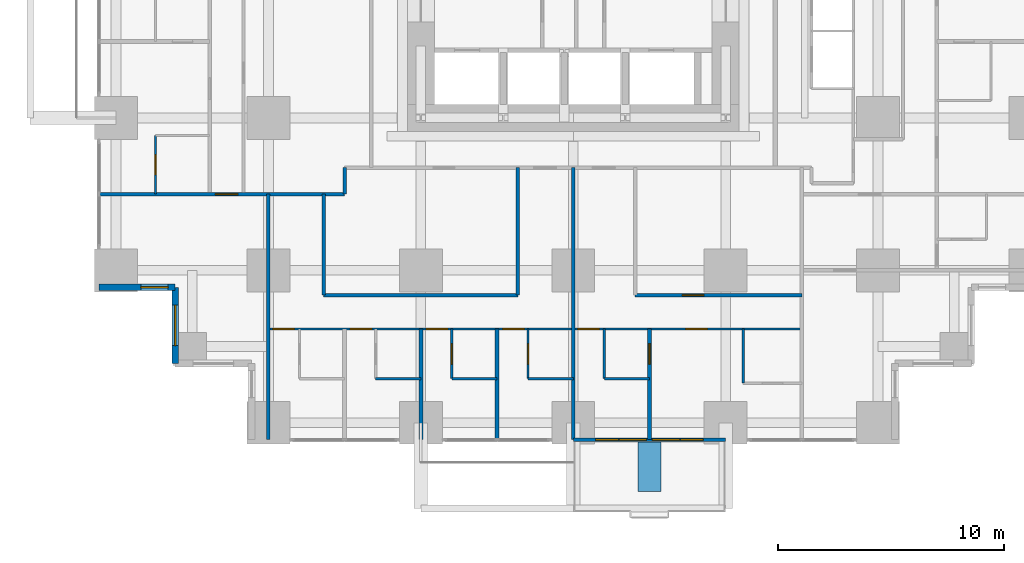
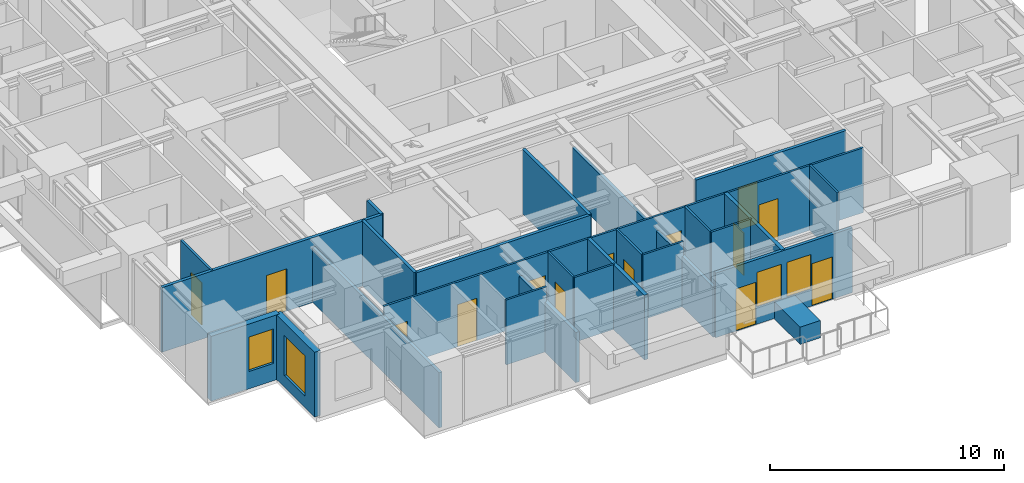
# One storey, part 8 of 14: 25 walls, 14 doors, 4 windows, 18 openings.
"""IFC4 building model written with IfcOpenShell, lengths in metres."""

from ifc_helpers import new_model, si_unit, direction, frame, frame_2d, origin, place, context, subcontext, project, spatial, rectangle, extrude, material, layer, layer_set, type_object, element, fill, save


model = new_model("IFC4")

# Units and contexts
model_context = context("Model", 3, precision=1e-05, world=origin(), true_north=direction((0.0, 1.0)))
body_context = subcontext(model_context, "Body", "Model", "MODEL_VIEW")
ifc_project = project(units=[si_unit("LENGTHUNIT", "METRE"), si_unit("AREAUNIT", "SQUARE_METRE"), si_unit("VOLUMEUNIT", "CUBIC_METRE"), si_unit("PLANEANGLEUNIT", "RADIAN"), si_unit("MASSUNIT", "GRAM", prefix="KILO")], contexts=[model_context])

# Site, building, storey
site_placement = place(None, origin())
site = spatial("IfcSite", under=ifc_project, at=site_placement, CompositionType="ELEMENT")
building_placement = place(site_placement, origin())
building = spatial("IfcBuilding", under=site, at=building_placement, Name="Nyansa Garden Tower", CompositionType="ELEMENT")
storey_placement = place(building_placement, frame((0.0, 0.0, 43.199951171875)))
storey = spatial("IfcBuildingStorey", under=building, at=storey_placement, Name="L11", CompositionType="ELEMENT", Elevation=43.199951171875)

# Walls
ifc_material_1 = material(Name="Dense blockwork, plastered both sides, 55 dB", Category="masonry")
ifc_layer_1 = layer(ifc_material_1, 0.175048828125)
ifc_layer_set_1 = layer_set([ifc_layer_1], Name="Acoustic party wall PW175")
wall_type_1 = type_object("IfcWallType", Name="Acoustic party wall PW175", PredefinedType="PARTITIONING", material=ifc_layer_set_1)
wall_1_placement = place(storey_placement, frame((13.5, -0.73388671875, 0.0), z_axis=(0.0, 0.0, 1.0), x_axis=(0.0, 1.0, 0.0)))
element("IfcWall", 1, at=wall_1_placement, inside=storey, type_object=wall_type_1, Name="Party wall", PredefinedType="PARTITIONING", context=body_context, shape_type="SweptSolid", body=[
    extrude(rectangle(XDim=4.8837890625, YDim=0.175048828125, at=frame_2d((2.44189453125, 0.0))), origin(), (0.0, 0.0, 1.0), 2.610107421875),
])
wall_2_placement = place(storey_placement, frame((16.875, -0.73388671875, 0.0), z_axis=(0.0, 0.0, 1.0), x_axis=(0.0, 1.0, 0.0)))
element("IfcWall", 2, at=wall_2_placement, inside=storey, type_object=wall_type_1, Name="Party wall", PredefinedType="PARTITIONING", context=body_context, shape_type="SweptSolid", body=[
    extrude(rectangle(XDim=4.8837890625, YDim=0.175048828125, at=frame_2d((2.44189453125, 0.0))), origin(), (0.0, 0.0, 1.0), 3.375),
])

# Wall, opening, door
wall_3_placement = place(storey_placement, frame((23.625, -0.73388671875, 0.0), z_axis=(0.0, 0.0, 1.0), x_axis=(0.0, 1.0, 0.0)))
wall_3 = element("IfcWall", 3, at=wall_3_placement, inside=storey, type_object=wall_type_1, Name="Party wall", PredefinedType="PARTITIONING", context=body_context, shape_type="SweptSolid", body=[
    extrude(rectangle(XDim=4.8837890625, YDim=0.175048828125, at=frame_2d((2.44189453125, 0.0))), origin(), (0.0, 0.0, 1.0), 3.375),
])
opening_1_placement = place(wall_3_placement, frame((3.333984375, 0.0, 0.0)))
opening_1 = element("IfcOpeningElement", 4, at=opening_1_placement, cuts=wall_3, Name="Opening D02", PredefinedType="OPENING", context=body_context, shape_type="SweptSolid", body=[
    extrude(rectangle(XDim=0.89990234375, YDim=2.199951171875, at=frame_2d((0.449951171875, 1.10009765625))), frame((0.0, 0.097412109375, 0.0), z_axis=(0.0, -1.0, 0.0), x_axis=(1.0, 0.0, 0.0)), (0.0, 0.0, 1.0), 0.195068359375),
])
ifc_material_2 = material(Name="Timber flush door", Category="wood")
door_type_1 = type_object("IfcDoorType", Name="En-suite door D02 900x2200", OperationType="SINGLE_SWING_RIGHT", PredefinedType="DOOR", material=ifc_material_2)
door_1_placement = place(opening_1_placement, origin())
door_1 = element("IfcDoor", 5, at=door_1_placement, inside=storey, type_object=door_type_1, Name="Door L11-032", OperationType="SINGLE_SWING_RIGHT", OverallHeight=2.199951171875, OverallWidth=0.89990234375, PredefinedType="DOOR", context=body_context, shape_type="SweptSolid", body=[
    extrude(rectangle(XDim=0.89990234375, YDim=2.199951171875, at=frame_2d((0.449951171875, 1.10009765625))), frame((0.0, 0.02490234375, 0.0), z_axis=(0.0, -1.0, 0.0), x_axis=(1.0, 0.0, 0.0)), (0.0, 0.0, 1.0), 0.050048828125),
])
fill(opening_1, door_1)

# Wall, openings, doors, windows
ifc_material_3 = material(Name="Black aluminium framed glazed screen", Category="aluminium")
ifc_layer_2 = layer(ifc_material_3, 0.14990234375)
ifc_layer_set_2 = layer_set([ifc_layer_2], Name="Balcony screen wall BW150")
wall_type_2 = type_object("IfcWallType", Name="Balcony screen wall BW150", PredefinedType="SOLIDWALL", material=ifc_layer_set_2)
wall_4_placement = place(storey_placement, frame((27.0, -0.75, 0.0), z_axis=(0.0, 0.0, 1.0), x_axis=(-1.0, 0.0, 0.0)))
wall_4 = element("IfcWall", 6, at=wall_4_placement, inside=storey, type_object=wall_type_2, Name="Glazed screen wall L11 S", PredefinedType="SOLIDWALL", context=body_context, shape_type="SweptSolid", body=[
    extrude(rectangle(XDim=6.75, YDim=0.14990234375, at=frame_2d((3.375, 0.0))), origin(), (0.0, 0.0, 1.0), 3.375),
])
opening_2_placement = place(wall_4_placement, frame((0.995849609375, 0.0, 0.0)))
opening_2 = element("IfcOpeningElement", 7, at=opening_2_placement, cuts=wall_4, Name="Opening D20", PredefinedType="OPENING", context=body_context, shape_type="SweptSolid", body=[
    extrude(rectangle(XDim=1.0, YDim=2.199951171875, at=frame_2d((0.5, 1.10009765625))), frame((0.0, 0.0849609375, 0.0), z_axis=(0.0, -1.0, 0.0), x_axis=(1.0, 0.0, 0.0)), (0.0, 0.0, 1.0), 0.169921875),
])
opening_3_placement = place(wall_4_placement, frame((2.041748046875, 0.0, 0.89990234375)))
opening_3 = element("IfcOpeningElement", 8, at=opening_3_placement, cuts=wall_4, Name="Opening W6", PredefinedType="OPENING", context=body_context, shape_type="SweptSolid", body=[
    extrude(rectangle(XDim=1.199951171875, YDim=1.800048828125, at=frame_2d((0.60009765625, 0.89990234375))), frame((0.0, 0.0849609375, 0.0), z_axis=(0.0, -1.0, 0.0), x_axis=(1.0, 0.0, 0.0)), (0.0, 0.0, 1.0), 0.169921875),
])
opening_4_placement = place(wall_4_placement, frame((4.754150390625, 0.0, 0.0)))
opening_4 = element("IfcOpeningElement", 9, at=opening_4_placement, cuts=wall_4, Name="Opening D20", PredefinedType="OPENING", context=body_context, shape_type="SweptSolid", body=[
    extrude(rectangle(XDim=1.0, YDim=2.199951171875, at=frame_2d((0.5, 1.10009765625))), frame((0.0, 0.0849609375, 0.0), z_axis=(0.0, -1.0, 0.0), x_axis=(1.0, 0.0, 0.0)), (0.0, 0.0, 1.0), 0.169921875),
])
opening_5_placement = place(wall_4_placement, frame((3.50830078125, 0.0, 0.89990234375)))
opening_5 = element("IfcOpeningElement", 10, at=opening_5_placement, cuts=wall_4, Name="Opening W6", PredefinedType="OPENING", context=body_context, shape_type="SweptSolid", body=[
    extrude(rectangle(XDim=1.199951171875, YDim=1.800048828125, at=frame_2d((0.60009765625, 0.89990234375))), frame((0.0, 0.0849609375, 0.0), z_axis=(0.0, -1.0, 0.0), x_axis=(1.0, 0.0, 0.0)), (0.0, 0.0, 1.0), 0.169921875),
])
ifc_material_4 = material(Name="Black aluminium framed glazed door", Category="aluminium")
door_type_2 = type_object("IfcDoorType", Name="Balcony door D20 1000x2200", OperationType="NOTDEFINED", PredefinedType="DOOR", material=ifc_material_4)
door_2_placement = place(opening_2_placement, origin())
door_2 = element("IfcDoor", 11, at=door_2_placement, inside=storey, type_object=door_type_2, Name="Balcony door L11", OperationType="SINGLE_SWING_LEFT", OverallHeight=2.199951171875, OverallWidth=1.0, PredefinedType="DOOR", context=body_context, shape_type="SweptSolid", body=[
    extrude(rectangle(XDim=1.0, YDim=2.199951171875, at=frame_2d((0.5, 1.10009765625))), frame((0.0, 0.02490234375, 0.0), z_axis=(0.0, -1.0, 0.0), x_axis=(1.0, 0.0, 0.0)), (0.0, 0.0, 1.0), 0.050048828125),
])
fill(opening_2, door_2)
door_3_placement = place(opening_4_placement, origin())
door_3 = element("IfcDoor", 12, at=door_3_placement, inside=storey, type_object=door_type_2, Name="Balcony door L11", OperationType="SINGLE_SWING_RIGHT", OverallHeight=2.199951171875, OverallWidth=1.0, PredefinedType="DOOR", context=body_context, shape_type="SweptSolid", body=[
    extrude(rectangle(XDim=1.0, YDim=2.199951171875, at=frame_2d((0.5, 1.10009765625))), frame((0.0, 0.02490234375, 0.0), z_axis=(0.0, -1.0, 0.0), x_axis=(1.0, 0.0, 0.0)), (0.0, 0.0, 1.0), 0.050048828125),
])
fill(opening_4, door_3)
ifc_material_5 = material(Name="Black aluminium frame, dark tinted double glazing", Category="aluminium")
window_type_1 = type_object("IfcWindowType", Name="Balcony window W6 1200x1800", PartitioningType="SINGLE_PANEL", PredefinedType="WINDOW", material=ifc_material_5)
window_1_placement = place(opening_3_placement, origin())
window_1 = element("IfcWindow", 13, at=window_1_placement, inside=storey, type_object=window_type_1, Name="Window L11", OverallHeight=1.800048828125, OverallWidth=1.199951171875, PartitioningType="SINGLE_PANEL", PredefinedType="WINDOW", context=body_context, shape_type="SweptSolid", body=[
    extrude(rectangle(XDim=1.199951171875, YDim=1.800048828125, at=frame_2d((0.60009765625, 0.89990234375))), frame((0.0, 0.030029296875, 0.0), z_axis=(0.0, -1.0, 0.0), x_axis=(1.0, 0.0, 0.0)), (0.0, 0.0, 1.0), 0.06005859375),
])
fill(opening_3, window_1)
window_2_placement = place(opening_5_placement, origin())
window_2 = element("IfcWindow", 14, at=window_2_placement, inside=storey, type_object=window_type_1, Name="Window L11", OverallHeight=1.800048828125, OverallWidth=1.199951171875, PartitioningType="SINGLE_PANEL", PredefinedType="WINDOW", context=body_context, shape_type="SweptSolid", body=[
    extrude(rectangle(XDim=1.199951171875, YDim=1.800048828125, at=frame_2d((0.60009765625, 0.89990234375))), frame((0.0, 0.030029296875, 0.0), z_axis=(0.0, -1.0, 0.0), x_axis=(1.0, 0.0, 0.0)), (0.0, 0.0, 1.0), 0.06005859375),
])
fill(opening_5, window_2)

# Wall, opening, door
ifc_material_6 = material(Name="Blockwork, plastered both sides", Category="masonry")
ifc_layer_3 = layer(ifc_material_6, 0.14990234375)
ifc_layer_set_3 = layer_set([ifc_layer_3], Name="Partition PW150")
wall_type_3 = type_object("IfcWallType", Name="Partition PW150", PredefinedType="PARTITIONING", material=ifc_layer_set_3)
wall_5_placement = place(storey_placement, frame((-0.73388671875, 10.125, 0.0), z_axis=(0.0, 0.0, 1.0), x_axis=(1.0, 0.0, 0.0)))
wall_5 = element("IfcWall", 15, at=wall_5_placement, inside=storey, type_object=wall_type_3, Name="Partition", PredefinedType="PARTITIONING", context=body_context, shape_type="SweptSolid", body=[
    extrude(rectangle(XDim=10.85888671875, YDim=0.14990234375, at=frame_2d((5.429443359375, 0.0))), origin(), (0.0, 0.0, 1.0), 3.375),
])
opening_6_placement = place(wall_5_placement, frame((5.134033203125, 0.0, 0.0)))
opening_6 = element("IfcOpeningElement", 16, at=opening_6_placement, cuts=wall_5, Name="Opening D03", PredefinedType="OPENING", context=body_context, shape_type="SweptSolid", body=[
    extrude(rectangle(XDim=1.0, YDim=2.199951171875, at=frame_2d((0.5, 1.10009765625))), frame((0.0, 0.0849609375, 0.0), z_axis=(0.0, -1.0, 0.0), x_axis=(1.0, 0.0, 0.0)), (0.0, 0.0, 1.0), 0.169921875),
])
ifc_material_7 = material(Name="Timber flush door, 60 minute fire resisting", Category="wood")
door_type_3 = type_object("IfcDoorType", Name="Cluster entrance door D03 1000x2200", OperationType="SINGLE_SWING_LEFT", PredefinedType="DOOR", material=ifc_material_7)
door_4_placement = place(opening_6_placement, origin())
door_4 = element("IfcDoor", 17, at=door_4_placement, inside=storey, type_object=door_type_3, Name="Door L11-019", OperationType="SINGLE_SWING_LEFT", OverallHeight=2.199951171875, OverallWidth=1.0, PredefinedType="DOOR", context=body_context, shape_type="SweptSolid", body=[
    extrude(rectangle(XDim=1.0, YDim=2.199951171875, at=frame_2d((0.5, 1.10009765625))), frame((0.0, 0.02490234375, 0.0), z_axis=(0.0, -1.0, 0.0), x_axis=(1.0, 0.0, 0.0)), (0.0, 0.0, 1.0), 0.050048828125),
])
fill(opening_6, door_4)

# Walls
wall_6_placement = place(storey_placement, frame((6.75, -0.73388671875, 0.0), z_axis=(0.0, 0.0, 1.0), x_axis=(0.0, 1.0, 0.0)))
element("IfcWall", 18, at=wall_6_placement, inside=storey, type_object=wall_type_3, Name="Partition", PredefinedType="PARTITIONING", context=body_context, shape_type="SweptSolid", body=[
    extrude(rectangle(XDim=10.85888671875, YDim=0.14990234375, at=frame_2d((5.429443359375, 0.0))), origin(), (0.0, 0.0, 1.0), 2.876953125),
])
wall_7_placement = place(storey_placement, frame((9.199951171875, 5.64990234375, 0.0), z_axis=(0.0, 0.0, 1.0), x_axis=(0.0, 1.0, 0.0)))
element("IfcWall", 19, at=wall_7_placement, inside=storey, type_object=wall_type_3, Name="Partition", PredefinedType="PARTITIONING", context=body_context, shape_type="SweptSolid", body=[
    extrude(rectangle(XDim=4.47509765625, YDim=0.14990234375, at=frame_2d((2.237548828125, 0.0))), origin(), (0.0, 0.0, 1.0), 3.375),
])
wall_8_placement = place(storey_placement, frame((9.199951171875, 5.64990234375, 0.0), z_axis=(0.0, 0.0, 1.0), x_axis=(1.0, 0.0, 0.0)))
element("IfcWall", 20, at=wall_8_placement, inside=storey, type_object=wall_type_3, Name="Partition", PredefinedType="PARTITIONING", context=body_context, shape_type="SweptSolid", body=[
    extrude(rectangle(XDim=8.60009765625, YDim=0.14990234375, at=frame_2d((4.300048828125, 0.0))), origin(), (0.0, 0.0, 1.0), 3.375),
])
wall_9_placement = place(storey_placement, frame((10.125, 10.125, 0.0), z_axis=(0.0, 0.0, 1.0), x_axis=(0.0, 1.0, 0.0)))
element("IfcWall", 21, at=wall_9_placement, inside=storey, type_object=wall_type_3, Name="Partition", PredefinedType="PARTITIONING", context=body_context, shape_type="SweptSolid", body=[
    extrude(rectangle(XDim=1.175048828125, YDim=0.14990234375, at=frame_2d((0.58740234375, 0.0))), origin(), (0.0, 0.0, 1.0), 3.375),
])
wall_10_placement = place(storey_placement, frame((17.800048828125, 5.64990234375, 0.0), z_axis=(0.0, 0.0, 1.0), x_axis=(0.0, 1.0, 0.0)))
element("IfcWall", 22, at=wall_10_placement, inside=storey, type_object=wall_type_3, Name="Partition", PredefinedType="PARTITIONING", context=body_context, shape_type="SweptSolid", body=[
    extrude(rectangle(XDim=5.650146484375, YDim=0.14990234375, at=frame_2d((2.8251953125, 0.0))), origin(), (0.0, 0.0, 1.0), 3.375),
])
wall_11_placement = place(storey_placement, frame((20.25, -0.73388671875, 0.0), z_axis=(0.0, 0.0, 1.0), x_axis=(0.0, 1.0, 0.0)))
element("IfcWall", 23, at=wall_11_placement, inside=storey, type_object=wall_type_3, Name="Partition", PredefinedType="PARTITIONING", context=body_context, shape_type="SweptSolid", body=[
    extrude(rectangle(XDim=12.033935546875, YDim=0.14990234375, at=frame_2d((6.01708984375, 0.0))), origin(), (0.0, 0.0, 1.0), 2.610107421875),
])

# Wall, opening, door
wall_12_placement = place(storey_placement, frame((22.987548828125, 5.64990234375, 0.0), z_axis=(0.0, 0.0, 1.0), x_axis=(1.0, 0.0, 0.0)))
wall_12 = element("IfcWall", 24, at=wall_12_placement, inside=storey, type_object=wall_type_3, Name="Partition", PredefinedType="PARTITIONING", context=body_context, shape_type="SweptSolid", body=[
    extrude(rectangle(XDim=7.387451171875, YDim=0.14990234375, at=frame_2d((3.69384765625, 0.0))), origin(), (0.0, 0.0, 1.0), 3.375),
])
opening_7_placement = place(wall_12_placement, frame((2.10009765625, 0.0, 0.0)))
opening_7 = element("IfcOpeningElement", 25, at=opening_7_placement, cuts=wall_12, Name="Opening D01", PredefinedType="OPENING", context=body_context, shape_type="SweptSolid", body=[
    extrude(rectangle(XDim=0.949951171875, YDim=2.199951171875, at=frame_2d((0.47509765625, 1.10009765625))), frame((0.0, 0.0849609375, 0.0), z_axis=(0.0, -1.0, 0.0), x_axis=(1.0, 0.0, 0.0)), (0.0, 0.0, 1.0), 0.169921875),
])
ifc_material_8 = material(Name="Timber flush door, 30 minute fire resisting", Category="wood")
door_type_4 = type_object("IfcDoorType", Name="Bedroom door D01 950x2200", OperationType="SINGLE_SWING_LEFT", PredefinedType="DOOR", material=ifc_material_8)
door_5_placement = place(opening_7_placement, origin())
door_5 = element("IfcDoor", 26, at=door_5_placement, inside=storey, type_object=door_type_4, Name="Door L11-035", OperationType="SINGLE_SWING_LEFT", OverallHeight=2.199951171875, OverallWidth=0.949951171875, PredefinedType="DOOR", context=body_context, shape_type="SweptSolid", body=[
    extrude(rectangle(XDim=0.949951171875, YDim=2.199951171875, at=frame_2d((0.47509765625, 1.10009765625))), frame((0.0, 0.02490234375, 0.0), z_axis=(0.0, -1.0, 0.0), x_axis=(1.0, 0.0, 0.0)), (0.0, 0.0, 1.0), 0.050048828125),
])
fill(opening_7, door_5)

# Wall, opening, window
ifc_material_9 = material(Name="Turquoise glazed tile on concrete blockwork", Category="masonry")
ifc_layer_4 = layer(ifc_material_9, 0.300048828125)
ifc_layer_set_4 = layer_set([ifc_layer_4], Name="Tiled corner wall TW300")
wall_type_4 = type_object("IfcWallType", Name="Tiled corner wall TW300", PredefinedType="SOLIDWALL", material=ifc_layer_set_4)
wall_13_placement = place(storey_placement, frame((-0.75, 6.0, 0.0), z_axis=(0.0, 0.0, 1.0), x_axis=(1.0, 0.0, 0.0)))
wall_13 = element("IfcWall", 27, at=wall_13_placement, inside=storey, type_object=wall_type_4, Name="Tiled corner wall L11", PredefinedType="SOLIDWALL", context=body_context, shape_type="SweptSolid", body=[
    extrude(rectangle(XDim=3.375, YDim=0.300048828125, at=frame_2d((1.6875, 0.0))), origin(), (0.0, 0.0, 1.0), 3.375),
])
opening_8_placement = place(wall_13_placement, frame((1.857421875, 0.0, 0.89990234375)))
opening_8 = element("IfcOpeningElement", 28, at=opening_8_placement, cuts=wall_13, Name="Opening W4", PredefinedType="OPENING", context=body_context, shape_type="SweptSolid", body=[
    extrude(rectangle(XDim=1.199951171875, YDim=1.800048828125, at=frame_2d((0.60009765625, 0.89990234375))), frame((0.0, 0.159912109375, 0.0), z_axis=(0.0, -1.0, 0.0), x_axis=(1.0, 0.0, 0.0)), (0.0, 0.0, 1.0), 0.320068359375),
])
ifc_material_10 = material(Name="Black aluminium frame, dark tinted double glazing", Category="aluminium")
window_type_2 = type_object("IfcWindowType", Name="Window W4 1200x1800", PartitioningType="SINGLE_PANEL", PredefinedType="WINDOW", material=ifc_material_10)
window_3_placement = place(opening_8_placement, origin())
window_3 = element("IfcWindow", 29, at=window_3_placement, inside=storey, type_object=window_type_2, Name="Corner window L11", OverallHeight=1.800048828125, OverallWidth=1.199951171875, PartitioningType="SINGLE_PANEL", PredefinedType="WINDOW", context=body_context, shape_type="SweptSolid", body=[
    extrude(rectangle(XDim=1.199951171875, YDim=1.800048828125, at=frame_2d((0.60009765625, 0.89990234375))), frame((0.0, 0.030029296875, 0.0), z_axis=(0.0, -1.0, 0.0), x_axis=(1.0, 0.0, 0.0)), (0.0, 0.0, 1.0), 0.06005859375),
])
fill(opening_8, window_3)

wall_14_placement = place(storey_placement, frame((2.625, 6.0, 0.0), z_axis=(0.0, 0.0, 1.0), x_axis=(0.0, -1.0, 0.0)))
wall_14 = element("IfcWall", 30, at=wall_14_placement, inside=storey, type_object=wall_type_4, Name="Tiled corner wall L11", PredefinedType="SOLIDWALL", context=body_context, shape_type="SweptSolid", body=[
    extrude(rectangle(XDim=3.375, YDim=0.300048828125, at=frame_2d((1.6875, 0.0))), origin(), (0.0, 0.0, 1.0), 3.375),
])
opening_9_placement = place(wall_14_placement, frame((0.78759765625, 0.0, 0.60009765625)))
opening_9 = element("IfcOpeningElement", 31, at=opening_9_placement, cuts=wall_14, Name="Opening W2", PredefinedType="OPENING", context=body_context, shape_type="SweptSolid", body=[
    extrude(rectangle(XDim=1.800048828125, YDim=2.10009765625, at=frame_2d((0.89990234375, 1.050048828125))), frame((0.0, 0.159912109375, 0.0), z_axis=(0.0, -1.0, 0.0), x_axis=(1.0, 0.0, 0.0)), (0.0, 0.0, 1.0), 0.320068359375),
])
ifc_material_11 = material(Name="Black aluminium frame, dark tinted double glazing", Category="aluminium")
window_type_3 = type_object("IfcWindowType", Name="Window W2 1800x2100", PartitioningType="SINGLE_PANEL", PredefinedType="WINDOW", material=ifc_material_11)
window_4_placement = place(opening_9_placement, origin())
window_4 = element("IfcWindow", 32, at=window_4_placement, inside=storey, type_object=window_type_3, Name="Corner window L11", OverallHeight=2.10009765625, OverallWidth=1.800048828125, PartitioningType="SINGLE_PANEL", PredefinedType="WINDOW", context=body_context, shape_type="SweptSolid", body=[
    extrude(rectangle(XDim=1.800048828125, YDim=2.10009765625, at=frame_2d((0.89990234375, 1.050048828125))), frame((0.0, 0.030029296875, 0.0), z_axis=(0.0, -1.0, 0.0), x_axis=(1.0, 0.0, 0.0)), (0.0, 0.0, 1.0), 0.06005859375),
])
fill(opening_9, window_4)

# Wall
ifc_material_12 = material(Name="Concrete C40/50 planter, waterproofed", Category="concrete")
ifc_layer_5 = layer(ifc_material_12, 1.0)
ifc_layer_set_5 = layer_set([ifc_layer_5], Name="Tree planter TP1")
wall_type_5 = type_object("IfcWallType", Name="Tree planter TP1", PredefinedType="USERDEFINED", material=ifc_layer_set_5)
wall_15_placement = place(storey_placement, frame((23.625, -0.85009765625, 0.0), z_axis=(0.0, 0.0, 1.0), x_axis=(0.0, -1.0, 0.0)))
element("IfcWall", 33, at=wall_15_placement, inside=storey, type_object=wall_type_5, Name="Tree planter L11", ObjectType="TREE PLANTER", PredefinedType="USERDEFINED", context=body_context, shape_type="SweptSolid", body=[
    extrude(rectangle(XDim=2.199951171875, YDim=1.0, at=frame_2d((1.10009765625, 0.0))), origin(), (0.0, 0.0, 1.0), 0.900146484375),
])

# Wall, opening, door
ifc_material_13 = material(Name="Moisture resistant board on steel studs, tiled", Category="steel")
ifc_layer_6 = layer(ifc_material_13, 0.10009765625)
ifc_layer_set_6 = layer_set([ifc_layer_6], Name="Wet wall PW100")
wall_type_6 = type_object("IfcWallType", Name="Wet wall PW100", PredefinedType="PARTITIONING", material=ifc_layer_set_6)
wall_16_placement = place(storey_placement, frame((1.75, 10.125, 0.0), z_axis=(0.0, 0.0, 1.0), x_axis=(0.0, 1.0, 0.0)))
wall_16 = element("IfcWall", 34, at=wall_16_placement, inside=storey, type_object=wall_type_6, Name="Wet wall", PredefinedType="PARTITIONING", context=body_context, shape_type="SweptSolid", body=[
    extrude(rectangle(XDim=2.60009765625, YDim=0.10009765625, at=frame_2d((1.300048828125, 0.0))), origin(), (0.0, 0.0, 1.0), 3.375),
])
opening_10_placement = place(wall_16_placement, frame((0.85009765625, 0.0, 0.0)))
opening_10 = element("IfcOpeningElement", 35, at=opening_10_placement, cuts=wall_16, Name="Opening D02", PredefinedType="OPENING", context=body_context, shape_type="SweptSolid", body=[
    extrude(rectangle(XDim=0.89990234375, YDim=2.199951171875, at=frame_2d((0.449951171875, 1.10009765625))), frame((0.0, 0.06005859375, 0.0), z_axis=(0.0, -1.0, 0.0), x_axis=(1.0, 0.0, 0.0)), (0.0, 0.0, 1.0), 0.1201171875),
])
door_6_placement = place(opening_10_placement, origin())
door_6 = element("IfcDoor", 36, at=door_6_placement, inside=storey, type_object=door_type_1, Name="Door L11-070", OperationType="SINGLE_SWING_RIGHT", OverallHeight=2.199951171875, OverallWidth=0.89990234375, PredefinedType="DOOR", context=body_context, shape_type="SweptSolid", body=[
    extrude(rectangle(XDim=0.89990234375, YDim=2.199951171875, at=frame_2d((0.449951171875, 1.10009765625))), frame((0.0, 0.02490234375, 0.0), z_axis=(0.0, -1.0, 0.0), x_axis=(1.0, 0.0, 0.0)), (0.0, 0.0, 1.0), 0.050048828125),
])
fill(opening_10, door_6)

# Wall, openings, doors
wall_17_placement = place(storey_placement, frame((6.75, 4.14990234375, 0.0), z_axis=(0.0, 0.0, 1.0), x_axis=(1.0, 0.0, 0.0)))
wall_17 = element("IfcWall", 37, at=wall_17_placement, inside=storey, type_object=wall_type_6, Name="Wet wall", PredefinedType="PARTITIONING", context=body_context, shape_type="SweptSolid", body=[
    extrude(rectangle(XDim=23.625, YDim=0.10009765625, at=frame_2d((11.8125, 0.0))), origin(), (0.0, 0.0, 1.0), 3.375),
])
opening_11_placement = place(wall_17_placement, frame((0.199951171875, 0.0, 0.0)))
opening_11 = element("IfcOpeningElement", 38, at=opening_11_placement, cuts=wall_17, Name="Opening D01", PredefinedType="OPENING", context=body_context, shape_type="SweptSolid", body=[
    extrude(rectangle(XDim=0.949951171875, YDim=2.199951171875, at=frame_2d((0.47509765625, 1.10009765625))), frame((0.0, 0.06005859375, 0.0), z_axis=(0.0, -1.0, 0.0), x_axis=(1.0, 0.0, 0.0)), (0.0, 0.0, 1.0), 0.1201171875),
])
opening_12_placement = place(wall_17_placement, frame((3.625, 0.0, 0.0)))
opening_12 = element("IfcOpeningElement", 39, at=opening_12_placement, cuts=wall_17, Name="Opening D01", PredefinedType="OPENING", context=body_context, shape_type="SweptSolid", body=[
    extrude(rectangle(XDim=0.949951171875, YDim=2.199951171875, at=frame_2d((0.47509765625, 1.10009765625))), frame((0.0, 0.06005859375, 0.0), z_axis=(0.0, -1.0, 0.0), x_axis=(1.0, 0.0, 0.0)), (0.0, 0.0, 1.0), 0.1201171875),
])
opening_13_placement = place(wall_17_placement, frame((7.0, 0.0, 0.0)))
opening_13 = element("IfcOpeningElement", 40, at=opening_13_placement, cuts=wall_17, Name="Opening D01", PredefinedType="OPENING", context=body_context, shape_type="SweptSolid", body=[
    extrude(rectangle(XDim=0.949951171875, YDim=2.199951171875, at=frame_2d((0.47509765625, 1.10009765625))), frame((0.0, 0.06005859375, 0.0), z_axis=(0.0, -1.0, 0.0), x_axis=(1.0, 0.0, 0.0)), (0.0, 0.0, 1.0), 0.1201171875),
])
opening_14_placement = place(wall_17_placement, frame((10.375, 0.0, 0.0)))
opening_14 = element("IfcOpeningElement", 41, at=opening_14_placement, cuts=wall_17, Name="Opening D01", PredefinedType="OPENING", context=body_context, shape_type="SweptSolid", body=[
    extrude(rectangle(XDim=0.949951171875, YDim=2.199951171875, at=frame_2d((0.47509765625, 1.10009765625))), frame((0.0, 0.06005859375, 0.0), z_axis=(0.0, -1.0, 0.0), x_axis=(1.0, 0.0, 0.0)), (0.0, 0.0, 1.0), 0.1201171875),
])
opening_15_placement = place(wall_17_placement, frame((18.47509765625, 0.0, 0.0)))
opening_15 = element("IfcOpeningElement", 42, at=opening_15_placement, cuts=wall_17, Name="Opening D14", PredefinedType="OPENING", context=body_context, shape_type="SweptSolid", body=[
    extrude(rectangle(XDim=0.949951171875, YDim=2.199951171875, at=frame_2d((0.47509765625, 1.10009765625))), frame((0.0, 0.06005859375, 0.0), z_axis=(0.0, -1.0, 0.0), x_axis=(1.0, 0.0, 0.0)), (0.0, 0.0, 1.0), 0.1201171875),
])
opening_16_placement = place(wall_17_placement, frame((13.699951171875, 0.0, 0.0)))
opening_16 = element("IfcOpeningElement", 43, at=opening_16_placement, cuts=wall_17, Name="Opening D14", PredefinedType="OPENING", context=body_context, shape_type="SweptSolid", body=[
    extrude(rectangle(XDim=0.949951171875, YDim=2.199951171875, at=frame_2d((0.47509765625, 1.10009765625))), frame((0.0, 0.06005859375, 0.0), z_axis=(0.0, -1.0, 0.0), x_axis=(1.0, 0.0, 0.0)), (0.0, 0.0, 1.0), 0.1201171875),
])
door_7_placement = place(opening_11_placement, origin())
door_7 = element("IfcDoor", 44, at=door_7_placement, inside=storey, type_object=door_type_4, Name="Door L11-020", OperationType="SINGLE_SWING_LEFT", OverallHeight=2.199951171875, OverallWidth=0.949951171875, PredefinedType="DOOR", context=body_context, shape_type="SweptSolid", body=[
    extrude(rectangle(XDim=0.949951171875, YDim=2.199951171875, at=frame_2d((0.47509765625, 1.10009765625))), frame((0.0, 0.02490234375, 0.0), z_axis=(0.0, -1.0, 0.0), x_axis=(1.0, 0.0, 0.0)), (0.0, 0.0, 1.0), 0.050048828125),
])
fill(opening_11, door_7)
door_8_placement = place(opening_12_placement, origin())
door_8 = element("IfcDoor", 45, at=door_8_placement, inside=storey, type_object=door_type_4, Name="Door L11-022", OperationType="SINGLE_SWING_LEFT", OverallHeight=2.199951171875, OverallWidth=0.949951171875, PredefinedType="DOOR", context=body_context, shape_type="SweptSolid", body=[
    extrude(rectangle(XDim=0.949951171875, YDim=2.199951171875, at=frame_2d((0.47509765625, 1.10009765625))), frame((0.0, 0.02490234375, 0.0), z_axis=(0.0, -1.0, 0.0), x_axis=(1.0, 0.0, 0.0)), (0.0, 0.0, 1.0), 0.050048828125),
])
fill(opening_12, door_8)
door_9_placement = place(opening_13_placement, origin())
door_9 = element("IfcDoor", 46, at=door_9_placement, inside=storey, type_object=door_type_4, Name="Door L11-024", OperationType="SINGLE_SWING_LEFT", OverallHeight=2.199951171875, OverallWidth=0.949951171875, PredefinedType="DOOR", context=body_context, shape_type="SweptSolid", body=[
    extrude(rectangle(XDim=0.949951171875, YDim=2.199951171875, at=frame_2d((0.47509765625, 1.10009765625))), frame((0.0, 0.02490234375, 0.0), z_axis=(0.0, -1.0, 0.0), x_axis=(1.0, 0.0, 0.0)), (0.0, 0.0, 1.0), 0.050048828125),
])
fill(opening_13, door_9)
door_10_placement = place(opening_14_placement, origin())
door_10 = element("IfcDoor", 47, at=door_10_placement, inside=storey, type_object=door_type_4, Name="Door L11-026", OperationType="SINGLE_SWING_LEFT", OverallHeight=2.199951171875, OverallWidth=0.949951171875, PredefinedType="DOOR", context=body_context, shape_type="SweptSolid", body=[
    extrude(rectangle(XDim=0.949951171875, YDim=2.199951171875, at=frame_2d((0.47509765625, 1.10009765625))), frame((0.0, 0.02490234375, 0.0), z_axis=(0.0, -1.0, 0.0), x_axis=(1.0, 0.0, 0.0)), (0.0, 0.0, 1.0), 0.050048828125),
])
fill(opening_14, door_10)
ifc_material_14 = material(Name="Timber flush door, 60 minute fire resisting, self-closing", Category="wood")
door_type_5 = type_object("IfcDoorType", Name="Studio entrance door D14 950x2200", OperationType="SINGLE_SWING_LEFT", PredefinedType="DOOR", material=ifc_material_14)
door_11_placement = place(opening_15_placement, origin())
door_11 = element("IfcDoor", 48, at=door_11_placement, inside=storey, type_object=door_type_5, Name="Door L11-029", OperationType="SINGLE_SWING_LEFT", OverallHeight=2.199951171875, OverallWidth=0.949951171875, PredefinedType="DOOR", context=body_context, shape_type="SweptSolid", body=[
    extrude(rectangle(XDim=0.949951171875, YDim=2.199951171875, at=frame_2d((0.47509765625, 1.10009765625))), frame((0.0, 0.02490234375, 0.0), z_axis=(0.0, -1.0, 0.0), x_axis=(1.0, 0.0, 0.0)), (0.0, 0.0, 1.0), 0.050048828125),
])
fill(opening_15, door_11)
door_12_placement = place(opening_16_placement, origin())
door_12 = element("IfcDoor", 49, at=door_12_placement, inside=storey, type_object=door_type_5, Name="Door L11-031", OperationType="SINGLE_SWING_LEFT", OverallHeight=2.199951171875, OverallWidth=0.949951171875, PredefinedType="DOOR", context=body_context, shape_type="SweptSolid", body=[
    extrude(rectangle(XDim=0.949951171875, YDim=2.199951171875, at=frame_2d((0.47509765625, 1.10009765625))), frame((0.0, 0.02490234375, 0.0), z_axis=(0.0, -1.0, 0.0), x_axis=(1.0, 0.0, 0.0)), (0.0, 0.0, 1.0), 0.050048828125),
])
fill(opening_16, door_12)

# Wall
wall_18_placement = place(storey_placement, frame((11.5, 1.949951171875, 0.0), z_axis=(0.0, 0.0, 1.0), x_axis=(1.0, 0.0, 0.0)))
element("IfcWall", 50, at=wall_18_placement, inside=storey, type_object=wall_type_6, Name="Wet wall", PredefinedType="PARTITIONING", context=body_context, shape_type="SweptSolid", body=[
    extrude(rectangle(XDim=2.0, YDim=0.10009765625, at=frame_2d((1.0, 0.0))), origin(), (0.0, 0.0, 1.0), 3.375),
])

# Wall, opening, door
wall_19_placement = place(storey_placement, frame((14.875, 1.949951171875, 0.0), z_axis=(0.0, 0.0, 1.0), x_axis=(0.0, 1.0, 0.0)))
wall_19 = element("IfcWall", 51, at=wall_19_placement, inside=storey, type_object=wall_type_6, Name="Wet wall", PredefinedType="PARTITIONING", context=body_context, shape_type="SweptSolid", body=[
    extrude(rectangle(XDim=2.199951171875, YDim=0.10009765625, at=frame_2d((1.10009765625, 0.0))), origin(), (0.0, 0.0, 1.0), 3.375),
])
opening_17_placement = place(wall_19_placement, frame((0.64990234375, 0.0, 0.0)))
opening_17 = element("IfcOpeningElement", 52, at=opening_17_placement, cuts=wall_19, Name="Opening D02", PredefinedType="OPENING", context=body_context, shape_type="SweptSolid", body=[
    extrude(rectangle(XDim=0.89990234375, YDim=2.199951171875, at=frame_2d((0.449951171875, 1.10009765625))), frame((0.0, 0.06005859375, 0.0), z_axis=(0.0, -1.0, 0.0), x_axis=(1.0, 0.0, 0.0)), (0.0, 0.0, 1.0), 0.1201171875),
])
door_13_placement = place(opening_17_placement, origin())
door_13 = element("IfcDoor", 53, at=door_13_placement, inside=storey, type_object=door_type_1, Name="Door L11-025", OperationType="SINGLE_SWING_RIGHT", OverallHeight=2.199951171875, OverallWidth=0.89990234375, PredefinedType="DOOR", context=body_context, shape_type="SweptSolid", body=[
    extrude(rectangle(XDim=0.89990234375, YDim=2.199951171875, at=frame_2d((0.449951171875, 1.10009765625))), frame((0.0, 0.02490234375, 0.0), z_axis=(0.0, -1.0, 0.0), x_axis=(1.0, 0.0, 0.0)), (0.0, 0.0, 1.0), 0.050048828125),
])
fill(opening_17, door_13)

# Wall
wall_20_placement = place(storey_placement, frame((14.875, 1.949951171875, 0.0), z_axis=(0.0, 0.0, 1.0), x_axis=(1.0, 0.0, 0.0)))
element("IfcWall", 54, at=wall_20_placement, inside=storey, type_object=wall_type_6, Name="Wet wall", PredefinedType="PARTITIONING", context=body_context, shape_type="SweptSolid", body=[
    extrude(rectangle(XDim=2.0, YDim=0.10009765625, at=frame_2d((1.0, 0.0))), origin(), (0.0, 0.0, 1.0), 3.375),
])

# Wall, opening, door
wall_21_placement = place(storey_placement, frame((18.25, 1.949951171875, 0.0), z_axis=(0.0, 0.0, 1.0), x_axis=(0.0, 1.0, 0.0)))
wall_21 = element("IfcWall", 55, at=wall_21_placement, inside=storey, type_object=wall_type_6, Name="Wet wall", PredefinedType="PARTITIONING", context=body_context, shape_type="SweptSolid", body=[
    extrude(rectangle(XDim=2.199951171875, YDim=0.10009765625, at=frame_2d((1.10009765625, 0.0))), origin(), (0.0, 0.0, 1.0), 3.375),
])
opening_18_placement = place(wall_21_placement, frame((0.64990234375, 0.0, 0.0)))
opening_18 = element("IfcOpeningElement", 56, at=opening_18_placement, cuts=wall_21, Name="Opening D02", PredefinedType="OPENING", context=body_context, shape_type="SweptSolid", body=[
    extrude(rectangle(XDim=0.89990234375, YDim=2.199951171875, at=frame_2d((0.449951171875, 1.10009765625))), frame((0.0, 0.06005859375, 0.0), z_axis=(0.0, -1.0, 0.0), x_axis=(1.0, 0.0, 0.0)), (0.0, 0.0, 1.0), 0.1201171875),
])
door_14_placement = place(opening_18_placement, origin())
door_14 = element("IfcDoor", 57, at=door_14_placement, inside=storey, type_object=door_type_1, Name="Door L11-027", OperationType="SINGLE_SWING_RIGHT", OverallHeight=2.199951171875, OverallWidth=0.89990234375, PredefinedType="DOOR", context=body_context, shape_type="SweptSolid", body=[
    extrude(rectangle(XDim=0.89990234375, YDim=2.199951171875, at=frame_2d((0.449951171875, 1.10009765625))), frame((0.0, 0.02490234375, 0.0), z_axis=(0.0, -1.0, 0.0), x_axis=(1.0, 0.0, 0.0)), (0.0, 0.0, 1.0), 0.050048828125),
])
fill(opening_18, door_14)

# Walls
wall_22_placement = place(storey_placement, frame((18.25, 1.949951171875, 0.0), z_axis=(0.0, 0.0, 1.0), x_axis=(1.0, 0.0, 0.0)))
element("IfcWall", 58, at=wall_22_placement, inside=storey, type_object=wall_type_6, Name="Wet wall", PredefinedType="PARTITIONING", context=body_context, shape_type="SweptSolid", body=[
    extrude(rectangle(XDim=2.0, YDim=0.10009765625, at=frame_2d((1.0, 0.0))), origin(), (0.0, 0.0, 1.0), 3.375),
])
wall_23_placement = place(storey_placement, frame((21.625, 1.949951171875, 0.0), z_axis=(0.0, 0.0, 1.0), x_axis=(0.0, 1.0, 0.0)))
element("IfcWall", 59, at=wall_23_placement, inside=storey, type_object=wall_type_6, Name="Wet wall", PredefinedType="PARTITIONING", context=body_context, shape_type="SweptSolid", body=[
    extrude(rectangle(XDim=2.199951171875, YDim=0.10009765625, at=frame_2d((1.10009765625, 0.0))), origin(), (0.0, 0.0, 1.0), 3.375),
])
wall_24_placement = place(storey_placement, frame((21.625, 1.949951171875, 0.0), z_axis=(0.0, 0.0, 1.0), x_axis=(1.0, 0.0, 0.0)))
element("IfcWall", 60, at=wall_24_placement, inside=storey, type_object=wall_type_6, Name="Wet wall", PredefinedType="PARTITIONING", context=body_context, shape_type="SweptSolid", body=[
    extrude(rectangle(XDim=2.0, YDim=0.10009765625, at=frame_2d((1.0, 0.0))), origin(), (0.0, 0.0, 1.0), 3.375),
])
wall_25_placement = place(storey_placement, frame((27.77490234375, 1.75, 0.0), z_axis=(0.0, 0.0, 1.0), x_axis=(0.0, 1.0, 0.0)))
element("IfcWall", 61, at=wall_25_placement, inside=storey, type_object=wall_type_6, Name="Wet wall", PredefinedType="PARTITIONING", context=body_context, shape_type="SweptSolid", body=[
    extrude(rectangle(XDim=2.39990234375, YDim=0.10009765625, at=frame_2d((1.199951171875, 0.0))), origin(), (0.0, 0.0, 1.0), 3.375),
])

save(model, "model.ifc")
